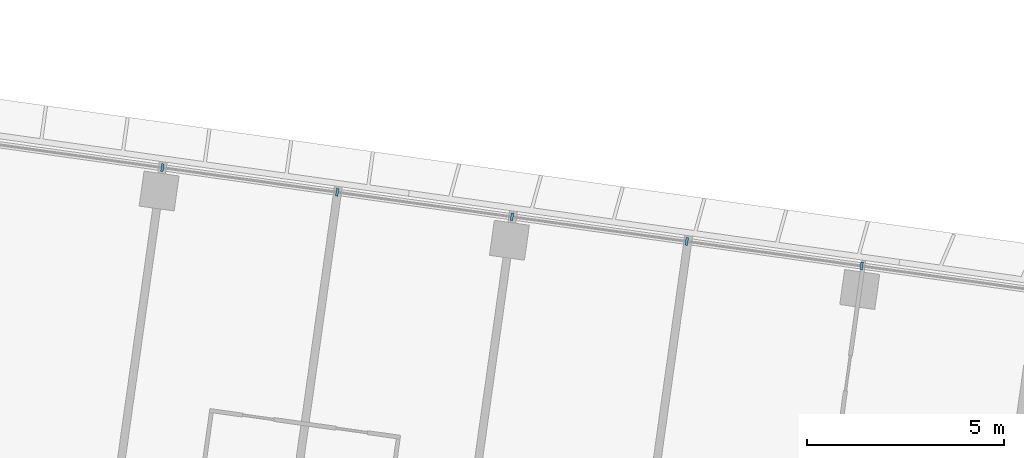
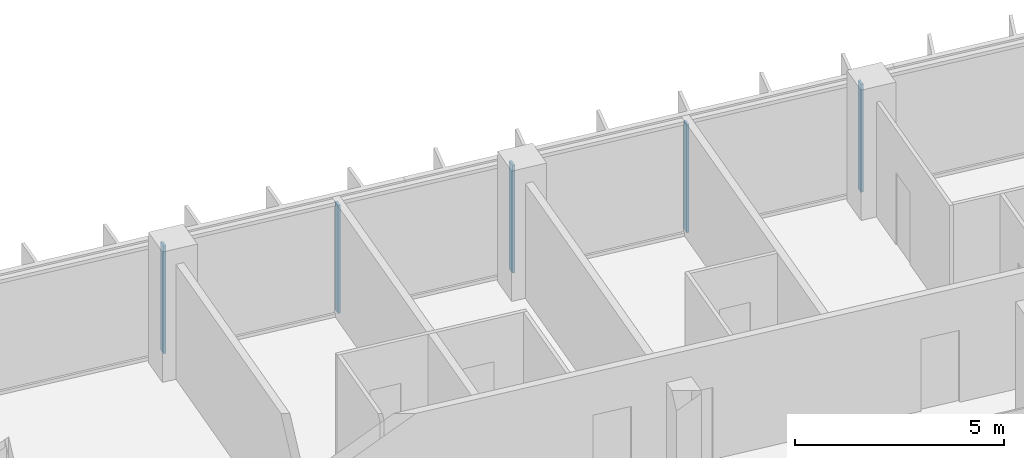
# One storey, part 5 of 24: 5 members, 1 element without a shape of its own.
"""IFC4 building model written with IfcOpenShell, lengths in metres."""

from ifc_helpers import new_model, si_unit, direction, frame, origin, origin_2d, place, context, subcontext, project, spatial, rectangle, extrude, material, material_profile, profile_set, type_object, element, aggregate, save


model = new_model("IFC4")

# Units and contexts
model_context = context("Model", 3, precision=1e-05, world=origin(), true_north=direction((0.0, 1.0)))
body_context = subcontext(model_context, "Body", "Model", "MODEL_VIEW")
ifc_project = project(units=[si_unit("LENGTHUNIT", "METRE"), si_unit("AREAUNIT", "SQUARE_METRE"), si_unit("VOLUMEUNIT", "CUBIC_METRE"), si_unit("PLANEANGLEUNIT", "RADIAN"), si_unit("MASSUNIT", "GRAM", prefix="KILO")], contexts=[model_context])

# Site, building, storey
site_placement = place(None, origin())
site = spatial("IfcSite", under=ifc_project, at=site_placement, CompositionType="ELEMENT")
building_placement = place(site_placement, origin())
building = spatial("IfcBuilding", under=site, at=building_placement, Name="Mirante Cascada Hotel Towers", CompositionType="ELEMENT")
storey_placement = place(building_placement, frame((0.0, 0.0, 132.9)))
storey = spatial("IfcBuildingStorey", under=building, at=storey_placement, Name="L30", CompositionType="ELEMENT", Elevation=132.9)

# Curtain wall, members
ifc_material_1 = material(Name="Aluminium mullion and transom frame with clear laminated glass", Category="aluminium")
curtain_wall_type = type_object("IfcCurtainWallType", Name="Ribbon curtain wall ECW1", PredefinedType="NOTDEFINED", material=ifc_material_1)
curtain_wall_placement = place(storey_placement, origin())
curtain_wall = element("IfcCurtainWall", 1, at=curtain_wall_placement, inside=storey, type_object=curtain_wall_type, Name="Front ribbon wall T1 L30", PredefinedType="NOTDEFINED")
ifc_material_2 = material(Name="Anodised aluminium extrusion", Category="aluminium")
ifc_material_profile = material_profile(ifc_material_2, rectangle(XDim=0.2, YDim=0.065, at=origin_2d()), Name="ECW1 MULLION 65x200")
ifc_profile_set = profile_set([ifc_material_profile], Name="Anodised aluminium extrusion")
member_type = type_object("IfcMemberType", Name="ECW1 mullion 65x200", PredefinedType="MULLION", material=ifc_profile_set)
member_1_placement = place(storey_placement, frame((-63.0262, 21.6768, 0.1), z_axis=(0.0, 0.0, 1.0), x_axis=(0.1391731, 0.9902681, 0.0)))
member_1 = element("IfcMember", 2, at=member_1_placement, type_object=member_type, Name="ECW1 mullion 8", PredefinedType="MULLION", context=body_context, shape_type="SweptSolid", body=[
    extrude(rectangle(XDim=0.2, YDim=0.065, at=origin_2d()), origin(), (0.0, 0.0, 1.0), 3.15),
])
member_2_placement = place(storey_placement, frame((-58.5788, 21.0517, 0.1), z_axis=(0.0, 0.0, 1.0), x_axis=(0.1391731, 0.9902681, 0.0)))
member_2 = element("IfcMember", 3, at=member_2_placement, type_object=member_type, Name="ECW1 mullion 9", PredefinedType="MULLION", context=body_context, shape_type="SweptSolid", body=[
    extrude(rectangle(XDim=0.2, YDim=0.065, at=origin_2d()), origin(), (0.0, 0.0, 1.0), 3.15),
])
member_3_placement = place(storey_placement, frame((-54.1314, 20.4267, 0.1), z_axis=(0.0, 0.0, 1.0), x_axis=(0.1391731, 0.9902681, 0.0)))
member_3 = element("IfcMember", 4, at=member_3_placement, type_object=member_type, Name="ECW1 mullion 10", PredefinedType="MULLION", context=body_context, shape_type="SweptSolid", body=[
    extrude(rectangle(XDim=0.2, YDim=0.065, at=origin_2d()), origin(), (0.0, 0.0, 1.0), 3.15),
])
member_4_placement = place(storey_placement, frame((-49.684, 19.8017, 0.1), z_axis=(0.0, 0.0, 1.0), x_axis=(0.1391731, 0.9902681, 0.0)))
member_4 = element("IfcMember", 5, at=member_4_placement, type_object=member_type, Name="ECW1 mullion 11", PredefinedType="MULLION", context=body_context, shape_type="SweptSolid", body=[
    extrude(rectangle(XDim=0.2, YDim=0.065, at=origin_2d()), origin(), (0.0, 0.0, 1.0), 3.15),
])
member_5_placement = place(storey_placement, frame((-45.2366, 19.1766, 0.1), z_axis=(0.0, 0.0, 1.0), x_axis=(0.1391731, 0.9902681, 0.0)))
member_5 = element("IfcMember", 6, at=member_5_placement, type_object=member_type, Name="ECW1 mullion 12", PredefinedType="MULLION", context=body_context, shape_type="SweptSolid", body=[
    extrude(rectangle(XDim=0.2, YDim=0.065, at=origin_2d()), origin(), (0.0, 0.0, 1.0), 3.15),
])
aggregate(curtain_wall, [member_1, member_2, member_3, member_4, member_5])

save(model, "model.ifc")
